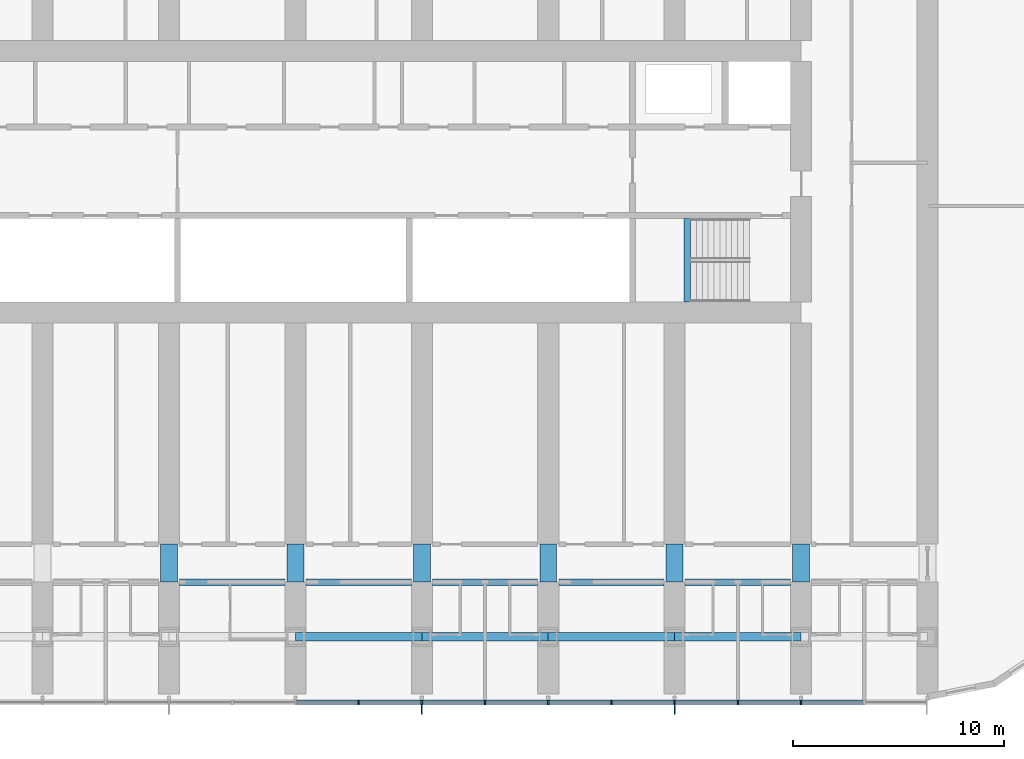
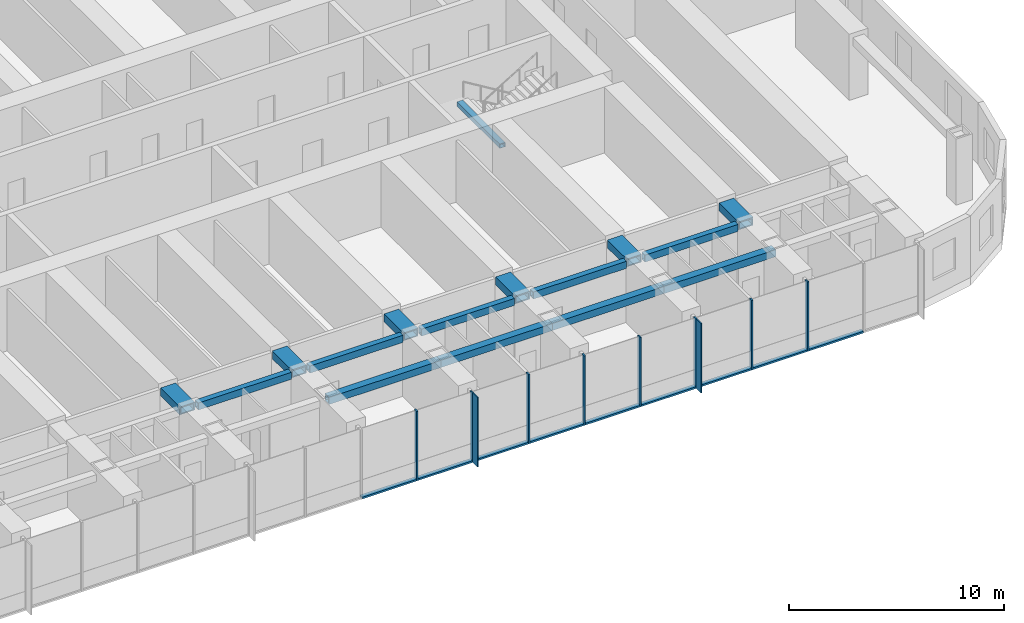
# One storey, part 5 of 28: 19 members, 16 beams, 1 element without a shape of its own.
"""IFC4 building model written with IfcOpenShell, lengths in metres."""

from ifc_helpers import new_model, si_unit, direction, frame, origin, origin_2d, place, context, subcontext, project, spatial, rectangle, hollow_rectangle, extrude, material, material_profile, profile_set, type_object, element, aggregate, save


model = new_model("IFC4")

# Units and contexts
model_context = context("Model", 3, precision=1e-05, world=origin(), true_north=direction((0.0, 1.0)))
body_context = subcontext(model_context, "Body", "Model", "MODEL_VIEW")
ifc_project = project(units=[si_unit("LENGTHUNIT", "METRE"), si_unit("AREAUNIT", "SQUARE_METRE"), si_unit("VOLUMEUNIT", "CUBIC_METRE"), si_unit("PLANEANGLEUNIT", "RADIAN"), si_unit("MASSUNIT", "GRAM", prefix="KILO")], contexts=[model_context])

# Site, building, storey
site_placement = place(None, origin())
site = spatial("IfcSite", under=ifc_project, at=site_placement, CompositionType="ELEMENT")
building_placement = place(site_placement, origin())
building = spatial("IfcBuilding", under=site, at=building_placement, Name="Orbita Commons", CompositionType="ELEMENT")
storey_placement = place(building_placement, frame((0.0, 0.0, 23.949951171875)))
storey = spatial("IfcBuildingStorey", under=building, at=storey_placement, Name="L05", CompositionType="ELEMENT", Elevation=23.949951171875)

# Curtain wall, members
ifc_material_1 = material(Name="Anodised aluminium frame, pale silver", Category="aluminium")
curtain_wall_type = type_object("IfcCurtainWallType", Name="Unitised curtain wall CW-T, vision and spandrel", PredefinedType="NOTDEFINED", material=ifc_material_1)
curtain_wall_placement = place(storey_placement, origin())
curtain_wall = element("IfcCurtainWall", 1, at=curtain_wall_placement, inside=storey, type_object=curtain_wall_type, Name="Curtain wall south L05", PredefinedType="NOTDEFINED")
ifc_material_2 = material(Name="Anodised aluminium, pale silver", Category="aluminium")
ifc_material_profile_1 = material_profile(ifc_material_2, rectangle(XDim=0.080078125, YDim=0.219970703125, at=origin_2d()), Name="AL 80x220")
ifc_profile_set_1 = profile_set([ifc_material_profile_1], Name="Anodised aluminium, pale silver")
member_type_1 = type_object("IfcMemberType", Name="Curtain wall mullion 80x220", PredefinedType="MULLION", material=ifc_profile_set_1)
member_1_placement = place(storey_placement, frame((45.0, 7.2900390625, -0.449951171875), z_axis=(0.0, 0.0, 1.0), x_axis=(1.0, 0.0, 0.0)))
member_1 = element("IfcMember", 2, at=member_1_placement, type_object=member_type_1, Name="Mullion 12 CW-L05-S", PredefinedType="MULLION", context=body_context, shape_type="SweptSolid", body=[
    extrude(rectangle(XDim=0.080078125, YDim=0.219970703125, at=origin_2d()), origin(), (0.0, 0.0, 1.0), 3.949951171875),
])
member_2_placement = place(storey_placement, frame((48.0, 7.2900390625, -0.449951171875), z_axis=(0.0, 0.0, 1.0), x_axis=(1.0, 0.0, 0.0)))
member_2 = element("IfcMember", 3, at=member_2_placement, type_object=member_type_1, Name="Mullion 13 CW-L05-S", PredefinedType="MULLION", context=body_context, shape_type="SweptSolid", body=[
    extrude(rectangle(XDim=0.080078125, YDim=0.219970703125, at=origin_2d()), origin(), (0.0, 0.0, 1.0), 3.949951171875),
])
member_3_placement = place(storey_placement, frame((51.0, 7.2900390625, -0.449951171875), z_axis=(0.0, 0.0, 1.0), x_axis=(1.0, 0.0, 0.0)))
member_3 = element("IfcMember", 4, at=member_3_placement, type_object=member_type_1, Name="Mullion 14 CW-L05-S", PredefinedType="MULLION", context=body_context, shape_type="SweptSolid", body=[
    extrude(rectangle(XDim=0.080078125, YDim=0.219970703125, at=origin_2d()), origin(), (0.0, 0.0, 1.0), 3.949951171875),
])
member_4_placement = place(storey_placement, frame((54.0, 7.2900390625, -0.449951171875), z_axis=(0.0, 0.0, 1.0), x_axis=(1.0, 0.0, 0.0)))
member_4 = element("IfcMember", 5, at=member_4_placement, type_object=member_type_1, Name="Mullion 15 CW-L05-S", PredefinedType="MULLION", context=body_context, shape_type="SweptSolid", body=[
    extrude(rectangle(XDim=0.080078125, YDim=0.219970703125, at=origin_2d()), origin(), (0.0, 0.0, 1.0), 3.949951171875),
])
member_5_placement = place(storey_placement, frame((57.0, 7.2900390625, -0.449951171875), z_axis=(0.0, 0.0, 1.0), x_axis=(1.0, 0.0, 0.0)))
member_5 = element("IfcMember", 6, at=member_5_placement, type_object=member_type_1, Name="Mullion 16 CW-L05-S", PredefinedType="MULLION", context=body_context, shape_type="SweptSolid", body=[
    extrude(rectangle(XDim=0.080078125, YDim=0.219970703125, at=origin_2d()), origin(), (0.0, 0.0, 1.0), 3.949951171875),
])
member_6_placement = place(storey_placement, frame((60.0, 7.2900390625, -0.449951171875), z_axis=(0.0, 0.0, 1.0), x_axis=(1.0, 0.0, 0.0)))
member_6 = element("IfcMember", 7, at=member_6_placement, type_object=member_type_1, Name="Mullion 17 CW-L05-S", PredefinedType="MULLION", context=body_context, shape_type="SweptSolid", body=[
    extrude(rectangle(XDim=0.080078125, YDim=0.219970703125, at=origin_2d()), origin(), (0.0, 0.0, 1.0), 3.949951171875),
])
member_7_placement = place(storey_placement, frame((63.0, 7.2900390625, -0.449951171875), z_axis=(0.0, 0.0, 1.0), x_axis=(1.0, 0.0, 0.0)))
member_7 = element("IfcMember", 8, at=member_7_placement, type_object=member_type_1, Name="Mullion 18 CW-L05-S", PredefinedType="MULLION", context=body_context, shape_type="SweptSolid", body=[
    extrude(rectangle(XDim=0.080078125, YDim=0.219970703125, at=origin_2d()), origin(), (0.0, 0.0, 1.0), 3.949951171875),
])
member_8_placement = place(storey_placement, frame((66.0, 7.2900390625, -0.449951171875), z_axis=(0.0, 0.0, 1.0), x_axis=(1.0, 0.0, 0.0)))
member_8 = element("IfcMember", 9, at=member_8_placement, type_object=member_type_1, Name="Mullion 19 CW-L05-S", PredefinedType="MULLION", context=body_context, shape_type="SweptSolid", body=[
    extrude(rectangle(XDim=0.080078125, YDim=0.219970703125, at=origin_2d()), origin(), (0.0, 0.0, 1.0), 3.949951171875),
])
ifc_material_3 = material(Name="Anodised aluminium, pale silver", Category="aluminium")
ifc_material_profile_2 = material_profile(ifc_material_3, rectangle(XDim=0.219970703125, YDim=0.10009765625, at=origin_2d()), Name="AL 220x100")
ifc_profile_set_2 = profile_set([ifc_material_profile_2], Name="Anodised aluminium, pale silver")
member_type_2 = type_object("IfcMemberType", Name="Curtain wall stack transom 220x100", PredefinedType="USERDEFINED", material=ifc_profile_set_2)
member_9_placement = place(storey_placement, frame((42.0400390625, 7.2900390625, -0.39990234375), z_axis=(1.0, 0.0, 0.0), x_axis=(0.0, 1.0, 0.0)))
member_9 = element("IfcMember", 10, at=member_9_placement, type_object=member_type_2, Name="Transom 11.1 CW-L05-S", ObjectType="TRANSOM", PredefinedType="USERDEFINED", context=body_context, shape_type="SweptSolid", body=[
    extrude(rectangle(XDim=0.219970703125, YDim=0.10009765625, at=origin_2d()), origin(), (0.0, 0.0, 1.0), 2.919921875),
])
member_10_placement = place(storey_placement, frame((45.0400390625, 7.2900390625, -0.39990234375), z_axis=(1.0, 0.0, 0.0), x_axis=(0.0, 1.0, 0.0)))
member_10 = element("IfcMember", 11, at=member_10_placement, type_object=member_type_2, Name="Transom 12.1 CW-L05-S", ObjectType="TRANSOM", PredefinedType="USERDEFINED", context=body_context, shape_type="SweptSolid", body=[
    extrude(rectangle(XDim=0.219970703125, YDim=0.10009765625, at=origin_2d()), origin(), (0.0, 0.0, 1.0), 2.919921875),
])
member_11_placement = place(storey_placement, frame((48.0400390625, 7.2900390625, -0.39990234375), z_axis=(1.0, 0.0, 0.0), x_axis=(0.0, 1.0, 0.0)))
member_11 = element("IfcMember", 12, at=member_11_placement, type_object=member_type_2, Name="Transom 13.1 CW-L05-S", ObjectType="TRANSOM", PredefinedType="USERDEFINED", context=body_context, shape_type="SweptSolid", body=[
    extrude(rectangle(XDim=0.219970703125, YDim=0.10009765625, at=origin_2d()), origin(), (0.0, 0.0, 1.0), 2.919921875),
])
member_12_placement = place(storey_placement, frame((51.0400390625, 7.2900390625, -0.39990234375), z_axis=(1.0, 0.0, 0.0), x_axis=(0.0, 1.0, 0.0)))
member_12 = element("IfcMember", 13, at=member_12_placement, type_object=member_type_2, Name="Transom 14.1 CW-L05-S", ObjectType="TRANSOM", PredefinedType="USERDEFINED", context=body_context, shape_type="SweptSolid", body=[
    extrude(rectangle(XDim=0.219970703125, YDim=0.10009765625, at=origin_2d()), origin(), (0.0, 0.0, 1.0), 2.919921875),
])
member_13_placement = place(storey_placement, frame((54.0400390625, 7.2900390625, -0.39990234375), z_axis=(1.0, 0.0, 0.0), x_axis=(0.0, 1.0, 0.0)))
member_13 = element("IfcMember", 14, at=member_13_placement, type_object=member_type_2, Name="Transom 15.1 CW-L05-S", ObjectType="TRANSOM", PredefinedType="USERDEFINED", context=body_context, shape_type="SweptSolid", body=[
    extrude(rectangle(XDim=0.219970703125, YDim=0.10009765625, at=origin_2d()), origin(), (0.0, 0.0, 1.0), 2.919921875),
])
member_14_placement = place(storey_placement, frame((57.0400390625, 7.2900390625, -0.39990234375), z_axis=(1.0, 0.0, 0.0), x_axis=(0.0, 1.0, 0.0)))
member_14 = element("IfcMember", 15, at=member_14_placement, type_object=member_type_2, Name="Transom 16.1 CW-L05-S", ObjectType="TRANSOM", PredefinedType="USERDEFINED", context=body_context, shape_type="SweptSolid", body=[
    extrude(rectangle(XDim=0.219970703125, YDim=0.10009765625, at=origin_2d()), origin(), (0.0, 0.0, 1.0), 2.919921875),
])
member_15_placement = place(storey_placement, frame((60.0400390625, 7.2900390625, -0.39990234375), z_axis=(1.0, 0.0, 0.0), x_axis=(0.0, 1.0, 0.0)))
member_15 = element("IfcMember", 16, at=member_15_placement, type_object=member_type_2, Name="Transom 17.1 CW-L05-S", ObjectType="TRANSOM", PredefinedType="USERDEFINED", context=body_context, shape_type="SweptSolid", body=[
    extrude(rectangle(XDim=0.219970703125, YDim=0.10009765625, at=origin_2d()), origin(), (0.0, 0.0, 1.0), 2.919921875),
])
member_16_placement = place(storey_placement, frame((63.0400390625, 7.2900390625, -0.39990234375), z_axis=(1.0, 0.0, 0.0), x_axis=(0.0, 1.0, 0.0)))
member_16 = element("IfcMember", 17, at=member_16_placement, type_object=member_type_2, Name="Transom 18.1 CW-L05-S", ObjectType="TRANSOM", PredefinedType="USERDEFINED", context=body_context, shape_type="SweptSolid", body=[
    extrude(rectangle(XDim=0.219970703125, YDim=0.10009765625, at=origin_2d()), origin(), (0.0, 0.0, 1.0), 2.919921875),
])
member_17_placement = place(storey_placement, frame((66.0400390625, 7.2900390625, -0.39990234375), z_axis=(1.0, 0.0, 0.0), x_axis=(0.0, 1.0, 0.0)))
member_17 = element("IfcMember", 18, at=member_17_placement, type_object=member_type_2, Name="Transom 19.1 CW-L05-S", ObjectType="TRANSOM", PredefinedType="USERDEFINED", context=body_context, shape_type="SweptSolid", body=[
    extrude(rectangle(XDim=0.219970703125, YDim=0.10009765625, at=origin_2d()), origin(), (0.0, 0.0, 1.0), 2.919921875),
])

# Beams
ifc_material_4 = material(Name="Steel ASTM A572 Gr 50 welded plate", Category="steel")
ifc_material_profile_3 = material_profile(ifc_material_4, hollow_rectangle(XDim=0.300048828125, YDim=0.25, WallThickness=0.02490234375, at=origin_2d()), Name="BOX 250x300x25")
ifc_profile_set_3 = profile_set([ifc_material_profile_3], Name="Steel ASTM A572 Gr 50 welded plate")
beam_type_1 = type_object("IfcBeamType", Name="Stair landing beam steel BOX 250x300x25", PredefinedType="BEAM", material=ifc_profile_set_3)
beam_placement = place(storey_placement, frame((60.60009765625, 26.284912109375, 1.550048828125), z_axis=(0.0, 1.0, 0.0), x_axis=(-1.0, 0.0, 0.0)))
element("IfcBeam", 19, at=beam_placement, inside=storey, type_object=beam_type_1, Name="Stair S2 landing beam L05 1", PredefinedType="BEAM", context=body_context, shape_type="SweptSolid", body=[
    extrude(hollow_rectangle(XDim=0.300048828125, YDim=0.25, WallThickness=0.02490234375, at=origin_2d()), origin(), (0.0, 0.0, 1.0), 3.97998046875),
])
ifc_material_5 = material(Name="Steel ASTM A572 Gr 50 welded plate", Category="steel")
ifc_material_profile_4 = material_profile(ifc_material_5, hollow_rectangle(XDim=0.300048828125, YDim=0.39990234375, WallThickness=0.0400390625, at=origin_2d()), Name="BOX 400x300x40")
ifc_profile_set_4 = profile_set([ifc_material_profile_4], Name="Steel ASTM A572 Gr 50 welded plate")
beam_type_2 = type_object("IfcBeamType", Name="Steel corridor link BOX 400x300x40", PredefinedType="BEAM", material=ifc_profile_set_4)
for number, where, z_axis, x_axis, name in (
    (20, (36.5, 13.0, 3.300048828125), (1.0, 0.0, 0.0), (0.0, 1.0, 0.0), "Corridor beam SA 7-8 L05"),
    (21, (42.5, 13.0, 3.300048828125), (1.0, 0.0, 0.0), (0.0, 1.0, 0.0), "Corridor beam SA 8-9 L05"),
    (22, (48.5, 13.0, 3.300048828125), (1.0, 0.0, 0.0), (0.0, 1.0, 0.0), "Corridor beam SA 9-10 L05"),
    (23, (54.5, 13.0, 3.300048828125), (1.0, 0.0, 0.0), (0.0, 1.0, 0.0), "Corridor beam SA 10-11 L05"),
    (24, (60.5, 13.0, 3.300048828125), (1.0, 0.0, 0.0), (0.0, 1.0, 0.0), "Corridor beam SA 11-12 L05"),
):
    element("IfcBeam", number, at=place(storey_placement, frame(where, z_axis=z_axis, x_axis=x_axis)), inside=storey, type_object=beam_type_2, Name=name, PredefinedType="BEAM", context=body_context, shape_type="SweptSolid", body=[
        extrude(hollow_rectangle(XDim=0.300048828125, YDim=0.39990234375, WallThickness=0.0400390625, at=origin_2d()), origin(), (0.0, 0.0, 1.0), 5.0),
    ])
ifc_material_6 = material(Name="Steel ASTM A572 Gr 50 welded plate", Category="steel")
ifc_material_profile_5 = material_profile(ifc_material_6, hollow_rectangle(XDim=0.800048828125, YDim=0.449951171875, WallThickness=0.06005859375, at=origin_2d()), Name="BOX 450x800x60")
ifc_profile_set_5 = profile_set([ifc_material_profile_5], Name="Steel ASTM A572 Gr 50 welded plate")
beam_type_3 = type_object("IfcBeamType", Name="Steel coupling link BOX 450x800x60", PredefinedType="LINTEL", material=ifc_profile_set_5)
for number, where, z_axis, x_axis, name in (
    (25, (36.0, 13.0, 3.275146484375), (0.0, 1.0, 0.0), (-1.0, 0.0, 0.0), "Coupling beam 7 south L05"),
    (26, (42.0, 13.0, 3.275146484375), (0.0, 1.0, 0.0), (-1.0, 0.0, 0.0), "Coupling beam 8 south L05"),
    (27, (48.0, 13.0, 3.275146484375), (0.0, 1.0, 0.0), (-1.0, 0.0, 0.0), "Coupling beam 9 south L05"),
    (28, (54.0, 13.0, 3.275146484375), (0.0, 1.0, 0.0), (-1.0, 0.0, 0.0), "Coupling beam 10 south L05"),
    (29, (60.0, 13.0, 3.275146484375), (0.0, 1.0, 0.0), (-1.0, 0.0, 0.0), "Coupling beam 11 south L05"),
    (30, (66.0, 13.0, 3.275146484375), (0.0, 1.0, 0.0), (-1.0, 0.0, 0.0), "Coupling beam 12 south L05"),
):
    element("IfcBeam", number, at=place(storey_placement, frame(where, z_axis=z_axis, x_axis=x_axis)), inside=storey, type_object=beam_type_3, Name=name, PredefinedType="LINTEL", context=body_context, shape_type="SweptSolid", body=[
        extrude(hollow_rectangle(XDim=0.800048828125, YDim=0.449951171875, WallThickness=0.06005859375, at=origin_2d()), origin(), (0.0, 0.0, 1.0), 1.800048828125),
    ])
ifc_material_7 = material(Name="Steel ASTM A572 Gr 50 welded plate", Category="steel")
ifc_material_profile_6 = material_profile(ifc_material_7, hollow_rectangle(XDim=0.39990234375, YDim=0.39990234375, WallThickness=0.0400390625, at=origin_2d()), Name="BOX 400x400x40")
ifc_profile_set_6 = profile_set([ifc_material_profile_6], Name="Steel ASTM A572 Gr 50 welded plate")
beam_type_4 = type_object("IfcBeamType", Name="Steel spandrel BOX 400x400x40", PredefinedType="SPANDREL", material=ifc_profile_set_6)
for number, where, z_axis, x_axis, name in (
    (31, (42.0, 10.39990234375, 3.300048828125), (1.0, 0.0, 0.0), (0.0, 1.0, 0.0), "Spandrel beam B 8-9 L05"),
    (32, (48.0, 10.39990234375, 3.300048828125), (1.0, 0.0, 0.0), (0.0, 1.0, 0.0), "Spandrel beam B 9-10 L05"),
    (33, (54.0, 10.39990234375, 3.300048828125), (1.0, 0.0, 0.0), (0.0, 1.0, 0.0), "Spandrel beam B 10-11 L05"),
    (34, (60.0, 10.39990234375, 3.300048828125), (1.0, 0.0, 0.0), (0.0, 1.0, 0.0), "Spandrel beam B 11-12 L05"),
):
    element("IfcBeam", number, at=place(storey_placement, frame(where, z_axis=z_axis, x_axis=x_axis)), inside=storey, type_object=beam_type_4, Name=name, PredefinedType="SPANDREL", context=body_context, shape_type="SweptSolid", body=[
        extrude(hollow_rectangle(XDim=0.39990234375, YDim=0.39990234375, WallThickness=0.0400390625, at=origin_2d()), origin(), (0.0, 0.0, 1.0), 6.0),
    ])

# Member
ifc_material_8 = material(Name="Anodised aluminium, pale silver", Category="aluminium")
ifc_material_profile_7 = material_profile(ifc_material_8, rectangle(XDim=0.06005859375, YDim=0.449951171875, at=origin_2d()), Name="FIN 60x450")
ifc_profile_set_7 = profile_set([ifc_material_profile_7], Name="Anodised aluminium, pale silver")
member_type_3 = type_object("IfcMemberType", Name="Vertical fin 60x450 pale aluminium", PredefinedType="USERDEFINED", material=ifc_profile_set_7)
member_18_placement = place(storey_placement, frame((48.0, 6.955078125, -0.449951171875), z_axis=(0.0, 0.0, 1.0), x_axis=(1.0, 0.0, 0.0)))
member_18 = element("IfcMember", 35, at=member_18_placement, type_object=member_type_3, Name="Fin 13 CW-L05-S", ObjectType="FIN", PredefinedType="USERDEFINED", context=body_context, shape_type="SweptSolid", body=[
    extrude(rectangle(XDim=0.06005859375, YDim=0.449951171875, at=origin_2d()), origin(), (0.0, 0.0, 1.0), 3.949951171875),
])

member_19_placement = place(storey_placement, frame((60.0, 6.955078125, -0.449951171875), z_axis=(0.0, 0.0, 1.0), x_axis=(1.0, 0.0, 0.0)))
member_19 = element("IfcMember", 36, at=member_19_placement, type_object=member_type_3, Name="Fin 17 CW-L05-S", ObjectType="FIN", PredefinedType="USERDEFINED", context=body_context, shape_type="SweptSolid", body=[
    extrude(rectangle(XDim=0.06005859375, YDim=0.449951171875, at=origin_2d()), origin(), (0.0, 0.0, 1.0), 3.949951171875),
])

aggregate(curtain_wall, [member_1, member_2, member_18, member_3, member_4, member_5, member_6, member_19, member_7, member_8, member_9, member_10, member_11, member_12, member_13, member_14, member_15, member_16, member_17])

save(model, "model.ifc")
